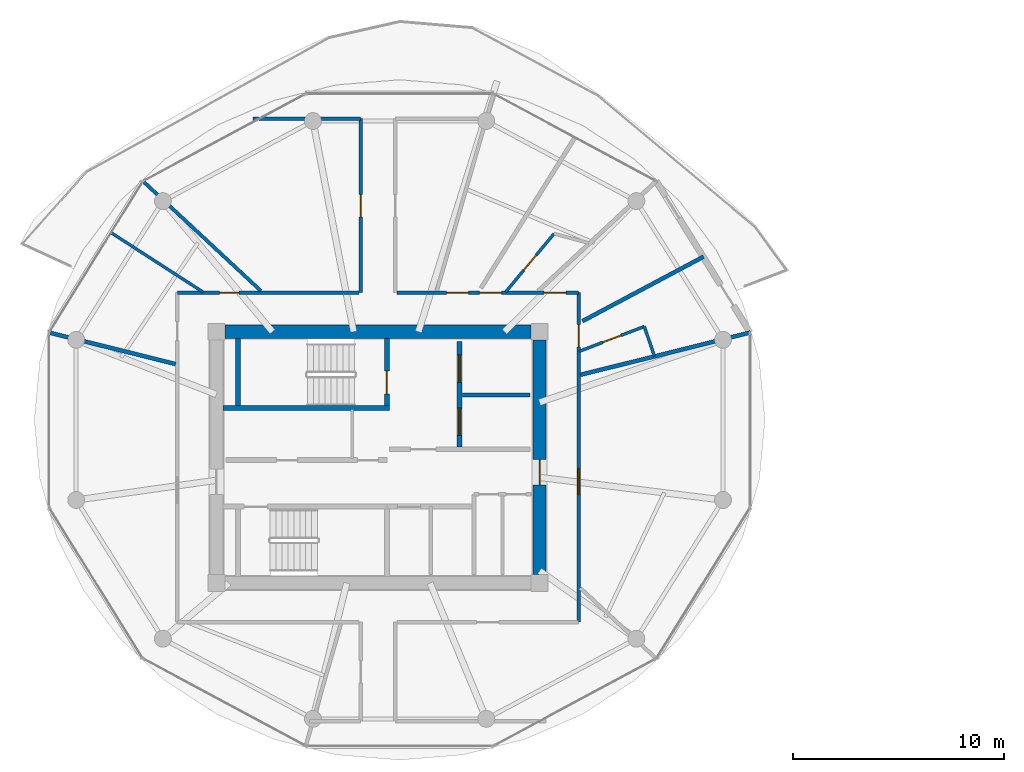
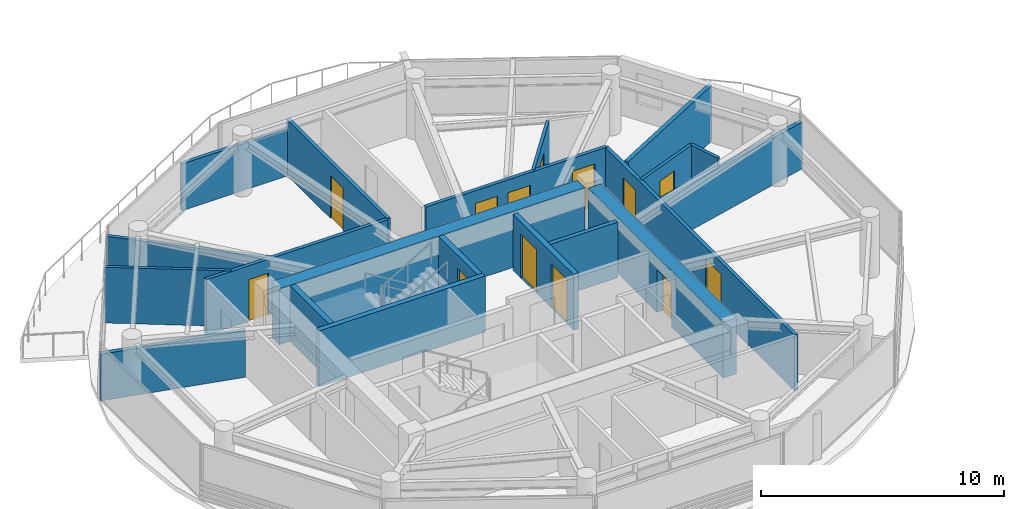
# One storey, part 13 of 21: 20 walls, 13 doors, 13 openings.
"""IFC4 building model written with IfcOpenShell, lengths in metres."""

from ifc_helpers import new_model, si_unit, direction, frame, frame_2d, origin, place, context, subcontext, project, spatial, rectangle, extrude, source, transform, mapped, material, layer, layer_set, type_object, type_shapes, element, fill, save


model = new_model("IFC4")

# Units and contexts
model_context = context("Model", 3, precision=1e-05, world=origin(), true_north=direction((0.0, 1.0)))
body_context = subcontext(model_context, "Body", "Model", "MODEL_VIEW")
ifc_project = project(units=[si_unit("LENGTHUNIT", "METRE"), si_unit("AREAUNIT", "SQUARE_METRE"), si_unit("VOLUMEUNIT", "CUBIC_METRE"), si_unit("PLANEANGLEUNIT", "RADIAN"), si_unit("MASSUNIT", "GRAM", prefix="KILO")], contexts=[model_context])

# Site, building, storey
site_placement = place(None, origin())
site = spatial("IfcSite", under=ifc_project, at=site_placement, CompositionType="ELEMENT")
building_placement = place(site_placement, origin())
building = spatial("IfcBuilding", under=site, at=building_placement, Name="Norrkilde Senior Care Towers", CompositionType="ELEMENT")
storey_placement = place(building_placement, frame((0.0, 0.0, 143.449951171875)))
storey = spatial("IfcBuildingStorey", under=building, at=storey_placement, Name="L44", CompositionType="ELEMENT", Elevation=143.449951171875)

# Wall
ifc_material_1 = material(Name="Concrete C50/60", Category="concrete")
ifc_layer_1 = layer(ifc_material_1, 0.6201171875)
ifc_layer_set_1 = layer_set([ifc_layer_1], Name="Concrete C50/60")
wall_type_1 = type_object("IfcWallType", Name="Core Shear Wall Z3 620", PredefinedType="SHEAR", material=ifc_layer_set_1)
shared_shape_1 = source(origin(), body_context, "Body", "SweptSolid", [
    extrude(rectangle(XDim=14.5, YDim=0.6201171875, at=frame_2d((7.25, 0.0))), origin(), (0.0, 0.0, 1.0), 2.81005859375),
])
wall_1_placement = place(storey_placement, frame((-35.25, 5.949951171875, 0.0), z_axis=(0.0, 0.0, 1.0), x_axis=(1.0, 0.0, 0.0)))
element("IfcWall", 1, at=wall_1_placement, inside=storey, type_object=wall_type_1, Name="L44 Core W North Shear Wall", PredefinedType="SHEAR", context=body_context, shape_type="MappedRepresentation", body=[
    mapped(shared_shape_1, transform((0.0, 0.0, 0.0), x_axis=(1.0, 0.0, 0.0), y_axis=(0.0, 1.0, 0.0), z_axis=(0.0, 0.0, 1.0), scale=1.0)),
])

# Wall, opening, door
shared_shape_2 = source(origin(), body_context, "Body", "SweptSolid", [
    extrude(rectangle(XDim=11.10009765625, YDim=0.6201171875, at=frame_2d((5.550048828125, 0.0))), origin(), (0.0, 0.0, 1.0), 2.81005859375),
])
type_shapes(wall_type_1, [shared_shape_1, shared_shape_2])
wall_2_placement = place(storey_placement, frame((-20.35009765625, 5.550048828125, 0.0), z_axis=(0.0, 0.0, 1.0), x_axis=(0.0, -1.0, 0.0)))
wall_2 = element("IfcWall", 2, at=wall_2_placement, inside=storey, type_object=wall_type_1, Name="L44 Core W East Shear Wall", PredefinedType="SHEAR", context=body_context, shape_type="MappedRepresentation", body=[
    mapped(shared_shape_2, transform((0.0, 0.0, 0.0), x_axis=(1.0, 0.0, 0.0), y_axis=(0.0, 1.0, 0.0), z_axis=(0.0, 0.0, 1.0), scale=1.0)),
])
opening_1_placement = place(wall_2_placement, frame((5.64990234375, 0.0, 0.0)))
opening_1 = element("IfcOpeningElement", 3, at=opening_1_placement, cuts=wall_2, Name="Opening D-04", PredefinedType="OPENING", context=body_context, shape_type="SweptSolid", body=[
    extrude(rectangle(XDim=1.199951171875, YDim=2.14990234375, at=frame_2d((0.60009765625, 1.074951171875))), frame((0.0, 0.320068359375, 0.0), z_axis=(0.0, -1.0, 0.0), x_axis=(1.0, 0.0, 0.0)), (0.0, 0.0, 1.0), 0.64013671875),
])
ifc_material_2 = material(Name="Galvanised Painted Steel", Category="steel")
door_type_1 = type_object("IfcDoorType", Name="Firefighting Lobby Fire Door 1200x2150", OperationType="NOTDEFINED", PredefinedType="DOOR", material=ifc_material_2)
shared_shape_3 = source(origin(), body_context, "Body", "SweptSolid", [
    extrude(rectangle(XDim=1.199951171875, YDim=2.14990234375, at=frame_2d((0.60009765625, 1.074951171875))), frame((0.0, 0.02490234375, 0.0), z_axis=(0.0, -1.0, 0.0), x_axis=(1.0, 0.0, 0.0)), (0.0, 0.0, 1.0), 0.050048828125),
])
type_shapes(door_type_1, [shared_shape_3])
door_1_placement = place(opening_1_placement, frame((1.199951171875, 0.0, 0.0), z_axis=(0.0, 0.0, 1.0), x_axis=(-1.0, 0.0, 0.0)))
door_1 = element("IfcDoor", 4, at=door_1_placement, inside=storey, type_object=door_type_1, Name="L44 Core W East Portal Door", OperationType="SINGLE_SWING_RIGHT", OverallHeight=2.14990234375, OverallWidth=1.199951171875, PredefinedType="DOOR", context=body_context, shape_type="MappedRepresentation", body=[
    mapped(shared_shape_3, transform((0.0, 0.0, 0.0), x_axis=(1.0, 0.0, 0.0), y_axis=(0.0, 1.0, 0.0), z_axis=(0.0, 0.0, 1.0), scale=1.0)),
])
fill(opening_1, door_1)

# Walls
ifc_material_3 = material(Name="Concrete C45/55", Category="concrete")
ifc_layer_2 = layer(ifc_material_3, 0.239990234375)
ifc_layer_set_2 = layer_set([ifc_layer_2], Name="Concrete C45/55")
wall_type_2 = type_object("IfcWallType", Name="Shaft and Stair Enclosure Wall 240", PredefinedType="PARTITIONING", material=ifc_layer_set_2)
shared_shape_4 = source(origin(), body_context, "Body", "SweptSolid", [
    extrude(rectangle(XDim=7.880126953125, YDim=0.239990234375, at=frame_2d((3.93994140625, 0.0))), origin(), (0.0, 0.0, 1.0), 2.81005859375),
])
wall_3_placement = place(storey_placement, frame((-35.340087890625, 2.330078125, 0.0), z_axis=(0.0, 0.0, 1.0), x_axis=(1.0, 0.0, 0.0)))
element("IfcWall", 5, at=wall_3_placement, inside=storey, type_object=wall_type_2, Name="WL-INT-L44-W-ST1S", PredefinedType="PARTITIONING", context=body_context, shape_type="MappedRepresentation", body=[
    mapped(shared_shape_4, transform((0.0, 0.0, 0.0), x_axis=(1.0, 0.0, 0.0), y_axis=(0.0, 1.0, 0.0), z_axis=(0.0, 0.0, 1.0), scale=1.0)),
])
shared_shape_5 = source(origin(), body_context, "Body", "SweptSolid", [
    extrude(rectangle(XDim=3.18994140625, YDim=0.239990234375, at=frame_2d((1.594970703125, 0.0))), origin(), (0.0, 0.0, 1.0), 2.81005859375),
])
type_shapes(wall_type_2, [shared_shape_4, shared_shape_5])
wall_4_placement = place(storey_placement, frame((-34.6201171875, 2.449951171875, 0.0), z_axis=(0.0, 0.0, 1.0), x_axis=(0.0, 1.0, 0.0)))
element("IfcWall", 6, at=wall_4_placement, inside=storey, type_object=wall_type_2, Name="WL-INT-L44-W-ST1W", PredefinedType="PARTITIONING", context=body_context, shape_type="MappedRepresentation", body=[
    mapped(shared_shape_5, transform((0.0, 0.0, 0.0), x_axis=(1.0, 0.0, 0.0), y_axis=(0.0, 1.0, 0.0), z_axis=(0.0, 0.0, 1.0), scale=1.0)),
])

# Wall, opening, door
wall_5_placement = place(storey_placement, frame((-27.580078125, 2.449951171875, 0.0), z_axis=(0.0, 0.0, 1.0), x_axis=(0.0, 1.0, 0.0)))
wall_5 = element("IfcWall", 7, at=wall_5_placement, inside=storey, type_object=wall_type_2, Name="WL-INT-L44-W-ST1E", PredefinedType="PARTITIONING", context=body_context, shape_type="MappedRepresentation", body=[
    mapped(shared_shape_5, transform((0.0, 0.0, 0.0), x_axis=(1.0, 0.0, 0.0), y_axis=(0.0, 1.0, 0.0), z_axis=(0.0, 0.0, 1.0), scale=1.0)),
])
opening_2_placement = place(wall_5_placement, frame((0.550048828125, 0.0, 0.0)))
opening_2 = element("IfcOpeningElement", 8, at=opening_2_placement, cuts=wall_5, Name="Opening D-03", PredefinedType="OPENING", context=body_context, shape_type="SweptSolid", body=[
    extrude(rectangle(XDim=1.10009765625, YDim=2.14990234375, at=frame_2d((0.550048828125, 1.074951171875))), frame((0.0, 0.1298828125, 0.0), z_axis=(0.0, -1.0, 0.0), x_axis=(1.0, 0.0, 0.0)), (0.0, 0.0, 1.0), 0.260009765625),
])
door_type_2 = type_object("IfcDoorType", Name="Stairwell Protected Fire Door 1100x2150", OperationType="NOTDEFINED", PredefinedType="DOOR", material=ifc_material_2)
shared_shape_6 = source(origin(), body_context, "Body", "SweptSolid", [
    extrude(rectangle(XDim=1.10009765625, YDim=2.14990234375, at=frame_2d((0.550048828125, 1.074951171875))), frame((0.0, 0.02490234375, 0.0), z_axis=(0.0, -1.0, 0.0), x_axis=(1.0, 0.0, 0.0)), (0.0, 0.0, 1.0), 0.050048828125),
])
type_shapes(door_type_2, [shared_shape_6])
door_2_placement = place(opening_2_placement, origin())
door_2 = element("IfcDoor", 9, at=door_2_placement, inside=storey, type_object=door_type_2, Name="L44 Stair W1 Fire Door", OperationType="SINGLE_SWING_LEFT", OverallHeight=2.14990234375, OverallWidth=1.10009765625, PredefinedType="DOOR", context=body_context, shape_type="MappedRepresentation", body=[
    mapped(shared_shape_6, transform((0.0, 0.0, 0.0), x_axis=(1.0, 0.0, 0.0), y_axis=(0.0, 1.0, 0.0), z_axis=(0.0, 0.0, 1.0), scale=1.0)),
])
fill(opening_2, door_2)

# Walls
ifc_material_4 = material(Name="Gypsum Acoustic Board")
ifc_layer_3 = layer(ifc_material_4, 0.1650390625)
ifc_layer_set_3 = layer_set([ifc_layer_3], Name="Gypsum Acoustic Board")
wall_type_3 = type_object("IfcWallType", Name="Corridor Rated Partition 165", PredefinedType="PARTITIONING", material=ifc_layer_set_3)
shared_shape_7 = source(origin(), body_context, "Body", "SweptSolid", [
    extrude(rectangle(XDim=7.64794921875, YDim=0.1650390625, at=frame_2d((3.823974609375, 0.0))), origin(), (0.0, 0.0, 1.0), 2.344970703125),
])
wall_6_placement = place(storey_placement, frame((-33.53759765625, 7.8798828125, 0.0), z_axis=(0.0, 0.0, 1.0), x_axis=(-0.732167856666, 0.681124239522, 0.0)))
element("IfcWall", 10, at=wall_6_placement, inside=storey, type_object=wall_type_3, Name="WL-INT-L44-W-DEM-04-0", PredefinedType="PARTITIONING", context=body_context, shape_type="MappedRepresentation", body=[
    mapped(shared_shape_7, transform((0.0, 0.0, 0.0), x_axis=(1.0, 0.0, 0.0), y_axis=(0.0, 1.0, 0.0), z_axis=(0.0, 0.0, 1.0), scale=1.0)),
])
shared_shape_8 = source(origin(), body_context, "Body", "SweptSolid", [
    extrude(rectangle(XDim=5.0888671875, YDim=0.1650390625, at=frame_2d((2.54443359375, 0.0))), origin(), (0.0, 0.0, 1.0), 2.344970703125),
])
wall_7_placement = place(storey_placement, frame((-33.908935546875, 16.035400390625, 0.0), z_axis=(0.0, 0.0, 1.0), x_axis=(1.0, 0.0, 0.0)))
element("IfcWall", 11, at=wall_7_placement, inside=storey, type_object=wall_type_3, Name="WL-INT-L44-W-PKH-NWL-0", PredefinedType="PARTITIONING", context=body_context, shape_type="MappedRepresentation", body=[
    mapped(shared_shape_8, transform((0.0, 0.0, 0.0), x_axis=(1.0, 0.0, 0.0), y_axis=(0.0, 1.0, 0.0), z_axis=(0.0, 0.0, 1.0), scale=1.0)),
])
ifc_layer_4 = layer(ifc_material_4, 0.18994140625)
ifc_layer_set_4 = layer_set([ifc_layer_4], Name="Gypsum Acoustic Board")
wall_type_4 = type_object("IfcWallType", Name="Unit Demising Acoustic Wall 190", PredefinedType="PARTITIONING", material=ifc_layer_set_4)
shared_shape_9 = source(origin(), body_context, "Body", "SweptSolid", [
    extrude(rectangle(XDim=6.192626953125, YDim=0.18994140625, at=frame_2d((3.09619140625, 0.0))), origin(), (0.0, 0.0, 1.0), 2.344970703125),
])
wall_8_placement = place(storey_placement, frame((-37.580078125, 4.418701171875, 0.0), z_axis=(0.0, 0.0, 1.0), x_axis=(-0.970309243466, 0.241867674657, 0.0)))
element("IfcWall", 12, at=wall_8_placement, inside=storey, type_object=wall_type_4, Name="WL-INT-L44-W-DEM-05-0", PredefinedType="PARTITIONING", context=body_context, shape_type="MappedRepresentation", body=[
    mapped(shared_shape_9, transform((0.0, 0.0, 0.0), x_axis=(1.0, 0.0, 0.0), y_axis=(0.0, 1.0, 0.0), z_axis=(0.0, 0.0, 1.0), scale=1.0)),
])
shared_shape_10 = source(origin(), body_context, "Body", "SweptSolid", [
    extrude(rectangle(XDim=8.305419921875, YDim=0.18994140625, at=frame_2d((4.15283203125, 0.0))), origin(), (0.0, 0.0, 1.0), 2.344970703125),
])
wall_9_placement = place(storey_placement, frame((-18.419921875, 3.90771484375, 0.0), z_axis=(0.0, 0.0, 1.0), x_axis=(0.970309994378, 0.241864662175, 0.0)))
element("IfcWall", 13, at=wall_9_placement, inside=storey, type_object=wall_type_4, Name="WL-INT-L44-W-DEM-00-0", PredefinedType="PARTITIONING", context=body_context, shape_type="MappedRepresentation", body=[
    mapped(shared_shape_10, transform((0.0, 0.0, 0.0), x_axis=(1.0, 0.0, 0.0), y_axis=(0.0, 1.0, 0.0), z_axis=(0.0, 0.0, 1.0), scale=1.0)),
])

# Wall, openings, doors
ifc_layer_5 = layer(ifc_material_3, 0.239990234375)
ifc_layer_set_5 = layer_set([ifc_layer_5], Name="Concrete C45/55")
wall_type_5 = type_object("IfcWallType", Name="Lift and Plant Rated Enclosure Partition 240", PredefinedType="PARTITIONING", material=ifc_layer_set_5)
shared_shape_11 = source(origin(), body_context, "Body", "SweptSolid", [
    extrude(rectangle(XDim=5.0, YDim=0.239990234375, at=frame_2d((2.5, 0.0))), origin(), (0.0, 0.0, 1.0), 2.795166015625),
])
type_shapes(wall_type_5, [shared_shape_11])
wall_10_placement = place(storey_placement, frame((-24.139892578125, 0.5, 0.0), z_axis=(0.0, 0.0, 1.0), x_axis=(0.0, 1.0, 0.0)))
wall_10 = element("IfcWall", 14, at=wall_10_placement, inside=storey, type_object=wall_type_5, Name="WL-INT-L44-W-FFLE", PredefinedType="PARTITIONING", context=body_context, shape_type="MappedRepresentation", body=[
    mapped(shared_shape_11, transform((0.0, 0.0, 0.0), x_axis=(1.0, 0.0, 0.0), y_axis=(0.0, 1.0, 0.0), z_axis=(0.0, 0.0, 1.0), scale=1.0)),
])
opening_3_placement = place(wall_10_placement, frame((3.050048828125, 0.0, 0.0)))
opening_3 = element("IfcOpeningElement", 15, at=opening_3_placement, cuts=wall_10, Name="Opening LD-02", PredefinedType="OPENING", context=body_context, shape_type="SweptSolid", body=[
    extrude(rectangle(XDim=1.300048828125, YDim=2.199951171875, at=frame_2d((0.64990234375, 1.10009765625))), frame((0.0, 0.1298828125, 0.0), z_axis=(0.0, -1.0, 0.0), x_axis=(1.0, 0.0, 0.0)), (0.0, 0.0, 1.0), 0.260009765625),
])
opening_4_placement = place(wall_10_placement, frame((0.550048828125, 0.0, 0.0)))
opening_4 = element("IfcOpeningElement", 16, at=opening_4_placement, cuts=wall_10, Name="Opening LD-02", PredefinedType="OPENING", context=body_context, shape_type="SweptSolid", body=[
    extrude(rectangle(XDim=1.300048828125, YDim=2.199951171875, at=frame_2d((0.64990234375, 1.10009765625))), frame((0.0, 0.1298828125, 0.0), z_axis=(0.0, -1.0, 0.0), x_axis=(1.0, 0.0, 0.0)), (0.0, 0.0, 1.0), 0.260009765625),
])
ifc_material_5 = material(Name="Stainless Steel", Category="steel")
door_type_3 = type_object("IfcDoorType", Name="Stretcher and FFL Landing Sliding Door 1300x2200", OperationType="NOTDEFINED", PredefinedType="DOOR", material=ifc_material_5)
shared_shape_12 = source(origin(), body_context, "Body", "SweptSolid", [
    extrude(rectangle(XDim=1.300048828125, YDim=2.199951171875, at=frame_2d((0.64990234375, 1.10009765625))), frame((0.0, 0.02490234375, 0.0), z_axis=(0.0, -1.0, 0.0), x_axis=(1.0, 0.0, 0.0)), (0.0, 0.0, 1.0), 0.050048828125),
])
type_shapes(door_type_3, [shared_shape_12])
door_3_placement = place(opening_3_placement, origin())
door_3 = element("IfcDoor", 17, at=door_3_placement, inside=storey, type_object=door_type_3, Name="L44 Firefighting Lift W1 Landing Door", OperationType="SLIDING_TO_LEFT", OverallHeight=2.199951171875, OverallWidth=1.300048828125, PredefinedType="DOOR", context=body_context, shape_type="MappedRepresentation", body=[
    mapped(shared_shape_12, transform((0.0, 0.0, 0.0), x_axis=(1.0, 0.0, 0.0), y_axis=(0.0, 1.0, 0.0), z_axis=(0.0, 0.0, 1.0), scale=1.0)),
])
fill(opening_3, door_3)
door_4_placement = place(opening_4_placement, origin())
door_4 = element("IfcDoor", 18, at=door_4_placement, inside=storey, type_object=door_type_3, Name="L44 Stretcher Lift W1 Landing Door", OperationType="SLIDING_TO_RIGHT", OverallHeight=2.199951171875, OverallWidth=1.300048828125, PredefinedType="DOOR", context=body_context, shape_type="MappedRepresentation", body=[
    mapped(shared_shape_12, transform((0.0, 0.0, 0.0), x_axis=(1.0, 0.0, 0.0), y_axis=(0.0, 1.0, 0.0), z_axis=(0.0, 0.0, 1.0), scale=1.0)),
])
fill(opening_4, door_4)

# Wall
ifc_layer_6 = layer(ifc_material_3, 0.199951171875)
ifc_layer_set_6 = layer_set([ifc_layer_6], Name="Concrete C45/55")
wall_type_6 = type_object("IfcWallType", Name="Shaft Division and Plant Partition 200", PredefinedType="PARTITIONING", material=ifc_layer_set_6)
shared_shape_13 = source(origin(), body_context, "Body", "SweptSolid", [
    extrude(rectangle(XDim=3.199951171875, YDim=0.199951171875, at=frame_2d((1.60009765625, 0.0))), origin(), (0.0, 0.0, 1.0), 2.795166015625),
])
type_shapes(wall_type_6, [shared_shape_13])
wall_11_placement = place(storey_placement, frame((-24.0, 2.949951171875, 0.0), z_axis=(0.0, 0.0, 1.0), x_axis=(1.0, 0.0, 0.0)))
element("IfcWall", 19, at=wall_11_placement, inside=storey, type_object=wall_type_6, Name="WL-INT-L44-W-FFLDIV", PredefinedType="PARTITIONING", context=body_context, shape_type="MappedRepresentation", body=[
    mapped(shared_shape_13, transform((0.0, 0.0, 0.0), x_axis=(1.0, 0.0, 0.0), y_axis=(0.0, 1.0, 0.0), z_axis=(0.0, 0.0, 1.0), scale=1.0)),
])

# Wall, opening, door
shared_shape_14 = source(origin(), body_context, "Body", "SweptSolid", [
    extrude(rectangle(XDim=8.60009765625, YDim=0.1650390625, at=frame_2d((4.300048828125, 0.0))), origin(), (0.0, 0.0, 1.0), 2.795166015625),
])
wall_12_placement = place(storey_placement, frame((-37.5, 7.800048828125, 0.0), z_axis=(0.0, 0.0, 1.0), x_axis=(1.0, 0.0, 0.0)))
wall_12 = element("IfcWall", 20, at=wall_12_placement, inside=storey, type_object=wall_type_3, Name="WL-INT-L44-W-CRW-N-0", PredefinedType="PARTITIONING", context=body_context, shape_type="MappedRepresentation", body=[
    mapped(shared_shape_14, transform((0.0, 0.0, 0.0), x_axis=(1.0, 0.0, 0.0), y_axis=(0.0, 1.0, 0.0), z_axis=(0.0, 0.0, 1.0), scale=1.0)),
])
opening_5_placement = place(wall_12_placement, frame((2.008544921875, 0.0, 0.0)))
opening_5 = element("IfcOpeningElement", 21, at=opening_5_placement, cuts=wall_12, Name="Opening D-08", PredefinedType="OPENING", context=body_context, shape_type="SweptSolid", body=[
    extrude(rectangle(XDim=0.919921875, YDim=2.10009765625, at=frame_2d((0.4599609375, 1.050048828125))), frame((0.0, 0.092529296875, 0.0), z_axis=(0.0, -1.0, 0.0), x_axis=(1.0, 0.0, 0.0)), (0.0, 0.0, 1.0), 0.18505859375),
])
ifc_material_6 = material(Name="Nordic Ash Timber", Category="wood")
door_type_4 = type_object("IfcDoorType", Name="Accessible Wet Room Door 920x2100", OperationType="NOTDEFINED", PredefinedType="DOOR", material=ifc_material_6)
shared_shape_15 = source(origin(), body_context, "Body", "SweptSolid", [
    extrude(rectangle(XDim=0.919921875, YDim=2.10009765625, at=frame_2d((0.4599609375, 1.050048828125))), frame((0.0, 0.02490234375, 0.0), z_axis=(0.0, -1.0, 0.0), x_axis=(1.0, 0.0, 0.0)), (0.0, 0.0, 1.0), 0.050048828125),
])
type_shapes(door_type_4, [shared_shape_15])
door_5_placement = place(opening_5_placement, frame((0.919921875, 0.0, 0.0), z_axis=(0.0, 0.0, 1.0), x_axis=(-1.0, 0.0, 0.0)))
door_5 = element("IfcDoor", 22, at=door_5_placement, inside=storey, type_object=door_type_4, Name="L44 Accessible Restroom Door", OperationType="SINGLE_SWING_LEFT", OverallHeight=2.10009765625, OverallWidth=0.919921875, PredefinedType="DOOR", context=body_context, shape_type="MappedRepresentation", body=[
    mapped(shared_shape_15, transform((0.0, 0.0, 0.0), x_axis=(1.0, 0.0, 0.0), y_axis=(0.0, 1.0, 0.0), z_axis=(0.0, 0.0, 1.0), scale=1.0)),
])
fill(opening_5, door_5)

# Wall, openings, doors
wall_13_placement = place(storey_placement, frame((-27.10009765625, 7.800048828125, 0.0), z_axis=(0.0, 0.0, 1.0), x_axis=(1.0, 0.0, 0.0)))
wall_13 = element("IfcWall", 23, at=wall_13_placement, inside=storey, type_object=wall_type_3, Name="WL-INT-L44-W-CRW-N-1", PredefinedType="PARTITIONING", context=body_context, shape_type="MappedRepresentation", body=[
    mapped(shared_shape_14, transform((0.0, 0.0, 0.0), x_axis=(1.0, 0.0, 0.0), y_axis=(0.0, 1.0, 0.0), z_axis=(0.0, 0.0, 1.0), scale=1.0)),
])
opening_6_placement = place(wall_13_placement, frame((6.9599609375, 0.0, 0.0)))
opening_6 = element("IfcOpeningElement", 24, at=opening_6_placement, cuts=wall_13, Name="Opening D-06", PredefinedType="OPENING", context=body_context, shape_type="SweptSolid", body=[
    extrude(rectangle(XDim=1.050048828125, YDim=2.14990234375, at=frame_2d((0.52490234375, 1.074951171875))), frame((0.0, 0.092529296875, 0.0), z_axis=(0.0, -1.0, 0.0), x_axis=(1.0, 0.0, 0.0)), (0.0, 0.0, 1.0), 0.18505859375),
])
opening_7_placement = place(wall_13_placement, frame((3.904052734375, 0.0, 0.0)))
opening_7 = element("IfcOpeningElement", 25, at=opening_7_placement, cuts=wall_13, Name="Opening D-06", PredefinedType="OPENING", context=body_context, shape_type="SweptSolid", body=[
    extrude(rectangle(XDim=1.050048828125, YDim=2.14990234375, at=frame_2d((0.52490234375, 1.074951171875))), frame((0.0, 0.092529296875, 0.0), z_axis=(0.0, -1.0, 0.0), x_axis=(1.0, 0.0, 0.0)), (0.0, 0.0, 1.0), 0.18505859375),
])
opening_8_placement = place(wall_13_placement, frame((2.347412109375, 0.0, 0.0)))
opening_8 = element("IfcOpeningElement", 26, at=opening_8_placement, cuts=wall_13, Name="Opening D-06", PredefinedType="OPENING", context=body_context, shape_type="SweptSolid", body=[
    extrude(rectangle(XDim=1.050048828125, YDim=2.14990234375, at=frame_2d((0.52490234375, 1.074951171875))), frame((0.0, 0.092529296875, 0.0), z_axis=(0.0, -1.0, 0.0), x_axis=(1.0, 0.0, 0.0)), (0.0, 0.0, 1.0), 0.18505859375),
])
door_type_5 = type_object("IfcDoorType", Name="Apartment Entrance Fire Door 1050x2150", OperationType="NOTDEFINED", PredefinedType="DOOR", material=ifc_material_6)
shared_shape_16 = source(origin(), body_context, "Body", "SweptSolid", [
    extrude(rectangle(XDim=1.050048828125, YDim=2.14990234375, at=frame_2d((0.52490234375, 1.074951171875))), frame((0.0, 0.02490234375, 0.0), z_axis=(0.0, -1.0, 0.0), x_axis=(1.0, 0.0, 0.0)), (0.0, 0.0, 1.0), 0.050048828125),
])
type_shapes(door_type_5, [shared_shape_16])
door_6_placement = place(opening_6_placement, frame((1.050048828125, 0.0, 0.0), z_axis=(0.0, 0.0, 1.0), x_axis=(-1.0, 0.0, 0.0)))
door_6 = element("IfcDoor", 27, at=door_6_placement, inside=storey, type_object=door_type_5, Name="L44 Therapy Day Lounge 00 Door", OperationType="SINGLE_SWING_RIGHT", OverallHeight=2.14990234375, OverallWidth=1.050048828125, PredefinedType="DOOR", context=body_context, shape_type="MappedRepresentation", body=[
    mapped(shared_shape_16, transform((0.0, 0.0, 0.0), x_axis=(1.0, 0.0, 0.0), y_axis=(0.0, 1.0, 0.0), z_axis=(0.0, 0.0, 1.0), scale=1.0)),
])
fill(opening_6, door_6)
door_7_placement = place(opening_7_placement, frame((1.050048828125, 0.0, 0.0), z_axis=(0.0, 0.0, 1.0), x_axis=(-1.0, 0.0, 0.0)))
door_7 = element("IfcDoor", 28, at=door_7_placement, inside=storey, type_object=door_type_5, Name="L44 Care Suite 4401A Entrance Door", OperationType="SINGLE_SWING_LEFT", OverallHeight=2.14990234375, OverallWidth=1.050048828125, PredefinedType="DOOR", context=body_context, shape_type="MappedRepresentation", body=[
    mapped(shared_shape_16, transform((0.0, 0.0, 0.0), x_axis=(1.0, 0.0, 0.0), y_axis=(0.0, 1.0, 0.0), z_axis=(0.0, 0.0, 1.0), scale=1.0)),
])
fill(opening_7, door_7)
door_8_placement = place(opening_8_placement, frame((1.050048828125, 0.0, 0.0), z_axis=(0.0, 0.0, 1.0), x_axis=(-1.0, 0.0, 0.0)))
door_8 = element("IfcDoor", 29, at=door_8_placement, inside=storey, type_object=door_type_5, Name="L44 Therapy Day Lounge 01 Door", OperationType="SINGLE_SWING_LEFT", OverallHeight=2.14990234375, OverallWidth=1.050048828125, PredefinedType="DOOR", context=body_context, shape_type="MappedRepresentation", body=[
    mapped(shared_shape_16, transform((0.0, 0.0, 0.0), x_axis=(1.0, 0.0, 0.0), y_axis=(0.0, 1.0, 0.0), z_axis=(0.0, 0.0, 1.0), scale=1.0)),
])
fill(opening_8, door_8)

shared_shape_17 = source(origin(), body_context, "Body", "SweptSolid", [
    extrude(rectangle(XDim=15.60009765625, YDim=0.1650390625, at=frame_2d((7.800048828125, 0.0))), origin(), (0.0, 0.0, 1.0), 2.795166015625),
])
wall_14_placement = place(storey_placement, frame((-18.5, 7.800048828125, 0.0), z_axis=(0.0, 0.0, 1.0), x_axis=(0.0, -1.0, 0.0)))
wall_14 = element("IfcWall", 30, at=wall_14_placement, inside=storey, type_object=wall_type_3, Name="WL-INT-L44-W-CRW-E-0", PredefinedType="PARTITIONING", context=body_context, shape_type="MappedRepresentation", body=[
    mapped(shared_shape_17, transform((0.0, 0.0, 0.0), x_axis=(1.0, 0.0, 0.0), y_axis=(0.0, 1.0, 0.0), z_axis=(0.0, 0.0, 1.0), scale=1.0)),
])
opening_9_placement = place(wall_14_placement, frame((8.31396484375, 0.0, 0.0)))
opening_9 = element("IfcOpeningElement", 31, at=opening_9_placement, cuts=wall_14, Name="Opening D-05", PredefinedType="OPENING", context=body_context, shape_type="SweptSolid", body=[
    extrude(rectangle(XDim=1.25, YDim=2.199951171875, at=frame_2d((0.625, 1.10009765625))), frame((0.0, 0.092529296875, 0.0), z_axis=(0.0, -1.0, 0.0), x_axis=(1.0, 0.0, 0.0)), (0.0, 0.0, 1.0), 0.18505859375),
])
opening_10_placement = place(wall_14_placement, frame((1.514892578125, 0.0, 0.0)))
opening_10 = element("IfcOpeningElement", 32, at=opening_10_placement, cuts=wall_14, Name="Opening D-06", PredefinedType="OPENING", context=body_context, shape_type="SweptSolid", body=[
    extrude(rectangle(XDim=1.050048828125, YDim=2.14990234375, at=frame_2d((0.52490234375, 1.074951171875))), frame((0.0, 0.092529296875, 0.0), z_axis=(0.0, -1.0, 0.0), x_axis=(1.0, 0.0, 0.0)), (0.0, 0.0, 1.0), 0.18505859375),
])
door_type_6 = type_object("IfcDoorType", Name="Care Bedroom Bariatric Door 1250x2200", OperationType="NOTDEFINED", PredefinedType="DOOR", material=ifc_material_6)
shared_shape_18 = source(origin(), body_context, "Body", "SweptSolid", [
    extrude(rectangle(XDim=1.25, YDim=2.199951171875, at=frame_2d((0.625, 1.10009765625))), frame((0.0, 0.02490234375, 0.0), z_axis=(0.0, -1.0, 0.0), x_axis=(1.0, 0.0, 0.0)), (0.0, 0.0, 1.0), 0.050048828125),
])
type_shapes(door_type_6, [shared_shape_18])
door_9_placement = place(opening_9_placement, frame((1.25, 0.0, 0.0), z_axis=(0.0, 0.0, 1.0), x_axis=(-1.0, 0.0, 0.0)))
door_9 = element("IfcDoor", 33, at=door_9_placement, inside=storey, type_object=door_type_6, Name="L44 Resident Therapeutic Day Lounge Door", OperationType="SINGLE_SWING_LEFT", OverallHeight=2.199951171875, OverallWidth=1.25, PredefinedType="DOOR", context=body_context, shape_type="MappedRepresentation", body=[
    mapped(shared_shape_18, transform((0.0, 0.0, 0.0), x_axis=(1.0, 0.0, 0.0), y_axis=(0.0, 1.0, 0.0), z_axis=(0.0, 0.0, 1.0), scale=1.0)),
])
fill(opening_9, door_9)
door_10_placement = place(opening_10_placement, frame((1.050048828125, 0.0, 0.0), z_axis=(0.0, 0.0, 1.0), x_axis=(-1.0, 0.0, 0.0)))
door_10 = element("IfcDoor", 34, at=door_10_placement, inside=storey, type_object=door_type_5, Name="L44 Care Suite 4400A Entrance Door", OperationType="SINGLE_SWING_RIGHT", OverallHeight=2.14990234375, OverallWidth=1.050048828125, PredefinedType="DOOR", context=body_context, shape_type="MappedRepresentation", body=[
    mapped(shared_shape_16, transform((0.0, 0.0, 0.0), x_axis=(1.0, 0.0, 0.0), y_axis=(0.0, 1.0, 0.0), z_axis=(0.0, 0.0, 1.0), scale=1.0)),
])
fill(opening_10, door_10)

# Wall, opening, door
shared_shape_19 = source(origin(), body_context, "Body", "SweptSolid", [
    extrude(rectangle(XDim=8.2353515625, YDim=0.1650390625, at=frame_2d((4.11767578125, 0.0))), origin(), (0.0, 0.0, 1.0), 2.795166015625),
])
type_shapes(wall_type_3, [shared_shape_7, shared_shape_8, shared_shape_14, shared_shape_17, shared_shape_19])
wall_15_placement = place(storey_placement, frame((-28.820068359375, 7.800048828125, 0.0), z_axis=(0.0, 0.0, 1.0), x_axis=(0.0, 1.0, 0.0)))
wall_15 = element("IfcWall", 35, at=wall_15_placement, inside=storey, type_object=wall_type_3, Name="WL-INT-L44-W-PKW-NWL", PredefinedType="PARTITIONING", context=body_context, shape_type="MappedRepresentation", body=[
    mapped(shared_shape_19, transform((0.0, 0.0, 0.0), x_axis=(1.0, 0.0, 0.0), y_axis=(0.0, 1.0, 0.0), z_axis=(0.0, 0.0, 1.0), scale=1.0)),
])
opening_11_placement = place(wall_15_placement, frame((3.5927734375, 0.0, 0.0)))
opening_11 = element("IfcOpeningElement", 36, at=opening_11_placement, cuts=wall_15, Name="Opening D-06", PredefinedType="OPENING", context=body_context, shape_type="SweptSolid", body=[
    extrude(rectangle(XDim=1.050048828125, YDim=2.14990234375, at=frame_2d((0.52490234375, 1.074951171875))), frame((0.0, 0.092529296875, 0.0), z_axis=(0.0, -1.0, 0.0), x_axis=(1.0, 0.0, 0.0)), (0.0, 0.0, 1.0), 0.18505859375),
])
door_11_placement = place(opening_11_placement, frame((1.050048828125, 0.0, 0.0), z_axis=(0.0, 0.0, 1.0), x_axis=(-1.0, 0.0, 0.0)))
door_11 = element("IfcDoor", 37, at=door_11_placement, inside=storey, type_object=door_type_5, Name="L44 Reading Lounge NWL Door", OperationType="SINGLE_SWING_RIGHT", OverallHeight=2.14990234375, OverallWidth=1.050048828125, PredefinedType="DOOR", context=body_context, shape_type="MappedRepresentation", body=[
    mapped(shared_shape_16, transform((0.0, 0.0, 0.0), x_axis=(1.0, 0.0, 0.0), y_axis=(0.0, 1.0, 0.0), z_axis=(0.0, 0.0, 1.0), scale=1.0)),
])
fill(opening_11, door_11)

# Walls
ifc_layer_7 = layer(ifc_material_4, 0.139892578125)
ifc_layer_set_7 = layer_set([ifc_layer_7], Name="Gypsum Acoustic Board")
wall_type_7 = type_object("IfcWallType", Name="En-suite Wet Room Wall 140", PredefinedType="PARTITIONING", material=ifc_layer_set_7)
shared_shape_20 = source(origin(), body_context, "Body", "SweptSolid", [
    extrude(rectangle(XDim=5.19677734375, YDim=0.139892578125, at=frame_2d((2.598388671875, 0.0))), origin(), (0.0, 0.0, 1.0), 2.795166015625),
])
wall_16_placement = place(storey_placement, frame((-36.285888671875, 7.830078125, 0.0), z_axis=(0.0, 0.0, 1.0), x_axis=(-0.839929187515, 0.542696010637, 0.0)))
element("IfcWall", 38, at=wall_16_placement, inside=storey, type_object=wall_type_7, Name="WL-INT-L44-W-MID-04", PredefinedType="PARTITIONING", context=body_context, shape_type="MappedRepresentation", body=[
    mapped(shared_shape_20, transform((0.0, 0.0, 0.0), x_axis=(1.0, 0.0, 0.0), y_axis=(0.0, 1.0, 0.0), z_axis=(0.0, 0.0, 1.0), scale=1.0)),
])
shared_shape_21 = source(origin(), body_context, "Body", "SweptSolid", [
    extrude(rectangle(XDim=6.4990234375, YDim=0.18994140625, at=frame_2d((3.24951171875, 0.0))), origin(), (0.0, 0.0, 1.0), 2.795166015625),
])
type_shapes(wall_type_4, [shared_shape_9, shared_shape_10, shared_shape_21])
wall_17_placement = place(storey_placement, frame((-18.32373046875, 6.44873046875, 0.0), z_axis=(0.0, 0.0, 1.0), x_axis=(0.882715595921, 0.469907625729, 0.0)))
element("IfcWall", 39, at=wall_17_placement, inside=storey, type_object=wall_type_4, Name="WL-INT-L44-W-CMID-00", PredefinedType="PARTITIONING", context=body_context, shape_type="MappedRepresentation", body=[
    mapped(shared_shape_21, transform((0.0, 0.0, 0.0), x_axis=(1.0, 0.0, 0.0), y_axis=(0.0, 1.0, 0.0), z_axis=(0.0, 0.0, 1.0), scale=1.0)),
])

# Wall, opening, door
shared_shape_22 = source(origin(), body_context, "Body", "SweptSolid", [
    extrude(rectangle(XDim=3.295166015625, YDim=0.139892578125, at=frame_2d((1.6474609375, 0.0))), origin(), (0.0, 0.0, 1.0), 2.795166015625),
])
wall_18_placement = place(storey_placement, frame((-18.469970703125, 5.022705078125, 0.0), z_axis=(0.0, 0.0, 1.0), x_axis=(0.934202224769, 0.356743890258, 0.0)))
wall_18 = element("IfcWall", 40, at=wall_18_placement, inside=storey, type_object=wall_type_7, Name="WL-INT-L44-W-ES-00A", PredefinedType="PARTITIONING", context=body_context, shape_type="MappedRepresentation", body=[
    mapped(shared_shape_22, transform((0.0, 0.0, 0.0), x_axis=(1.0, 0.0, 0.0), y_axis=(0.0, 1.0, 0.0), z_axis=(0.0, 0.0, 1.0), scale=1.0)),
])
opening_12_placement = place(wall_18_placement, frame((1.1875, 0.0, 0.0)))
opening_12 = element("IfcOpeningElement", 41, at=opening_12_placement, cuts=wall_18, Name="Opening D-08", PredefinedType="OPENING", context=body_context, shape_type="SweptSolid", body=[
    extrude(rectangle(XDim=0.919921875, YDim=2.10009765625, at=frame_2d((0.4599609375, 1.050048828125))), frame((0.0, 0.079833984375, 0.0), z_axis=(0.0, -1.0, 0.0), x_axis=(1.0, 0.0, 0.0)), (0.0, 0.0, 1.0), 0.159912109375),
])
door_12_placement = place(opening_12_placement, origin())
door_12 = element("IfcDoor", 42, at=door_12_placement, inside=storey, type_object=door_type_4, Name="L44 Care Suite 4400A Bathroom Door", OperationType="SINGLE_SWING_LEFT", OverallHeight=2.10009765625, OverallWidth=0.919921875, PredefinedType="DOOR", context=body_context, shape_type="MappedRepresentation", body=[
    mapped(shared_shape_15, transform((0.0, 0.0, 0.0), x_axis=(1.0, 0.0, 0.0), y_axis=(0.0, 1.0, 0.0), z_axis=(0.0, 0.0, 1.0), scale=1.0)),
])
fill(opening_12, door_12)

# Wall
shared_shape_23 = source(origin(), body_context, "Body", "SweptSolid", [
    extrude(rectangle(XDim=1.478759765625, YDim=0.139892578125, at=frame_2d((0.7392578125, 0.0))), origin(), (0.0, 0.0, 1.0), 2.795166015625),
])
wall_19_placement = place(storey_placement, frame((-15.3916015625, 6.1982421875, 0.0), z_axis=(0.0, 0.0, 1.0), x_axis=(0.324438293903, -0.945906862989, 0.0)))
element("IfcWall", 43, at=wall_19_placement, inside=storey, type_object=wall_type_7, Name="WL-INT-L44-W-EF-00A", PredefinedType="PARTITIONING", context=body_context, shape_type="MappedRepresentation", body=[
    mapped(shared_shape_23, transform((0.0, 0.0, 0.0), x_axis=(1.0, 0.0, 0.0), y_axis=(0.0, 1.0, 0.0), z_axis=(0.0, 0.0, 1.0), scale=1.0)),
])

# Wall, opening, door
shared_shape_24 = source(origin(), body_context, "Body", "SweptSolid", [
    extrude(rectangle(XDim=3.59326171875, YDim=0.139892578125, at=frame_2d((1.796630859375, 0.0))), origin(), (0.0, 0.0, 1.0), 2.795166015625),
])
type_shapes(wall_type_7, [shared_shape_20, shared_shape_22, shared_shape_23, shared_shape_24])
wall_20_placement = place(storey_placement, frame((-21.955322265625, 7.830078125, 0.0), z_axis=(0.0, 0.0, 1.0), x_axis=(0.638271060163, 0.769811700196, 0.0)))
wall_20 = element("IfcWall", 44, at=wall_20_placement, inside=storey, type_object=wall_type_7, Name="WL-INT-L44-W-ES-01A", PredefinedType="PARTITIONING", context=body_context, shape_type="MappedRepresentation", body=[
    mapped(shared_shape_24, transform((0.0, 0.0, 0.0), x_axis=(1.0, 0.0, 0.0), y_axis=(0.0, 1.0, 0.0), z_axis=(0.0, 0.0, 1.0), scale=1.0)),
])
opening_13_placement = place(wall_20_placement, frame((1.336669921875, 0.0, 0.0)))
opening_13 = element("IfcOpeningElement", 45, at=opening_13_placement, cuts=wall_20, Name="Opening D-08", PredefinedType="OPENING", context=body_context, shape_type="SweptSolid", body=[
    extrude(rectangle(XDim=0.919921875, YDim=2.10009765625, at=frame_2d((0.4599609375, 1.050048828125))), frame((0.0, 0.079833984375, 0.0), z_axis=(0.0, -1.0, 0.0), x_axis=(1.0, 0.0, 0.0)), (0.0, 0.0, 1.0), 0.159912109375),
])
door_13_placement = place(opening_13_placement, origin())
door_13 = element("IfcDoor", 46, at=door_13_placement, inside=storey, type_object=door_type_4, Name="L44 Care Suite 4401A Bathroom Door", OperationType="SINGLE_SWING_RIGHT", OverallHeight=2.10009765625, OverallWidth=0.919921875, PredefinedType="DOOR", context=body_context, shape_type="MappedRepresentation", body=[
    mapped(shared_shape_15, transform((0.0, 0.0, 0.0), x_axis=(1.0, 0.0, 0.0), y_axis=(0.0, 1.0, 0.0), z_axis=(0.0, 0.0, 1.0), scale=1.0)),
])
fill(opening_13, door_13)

save(model, "model.ifc")
